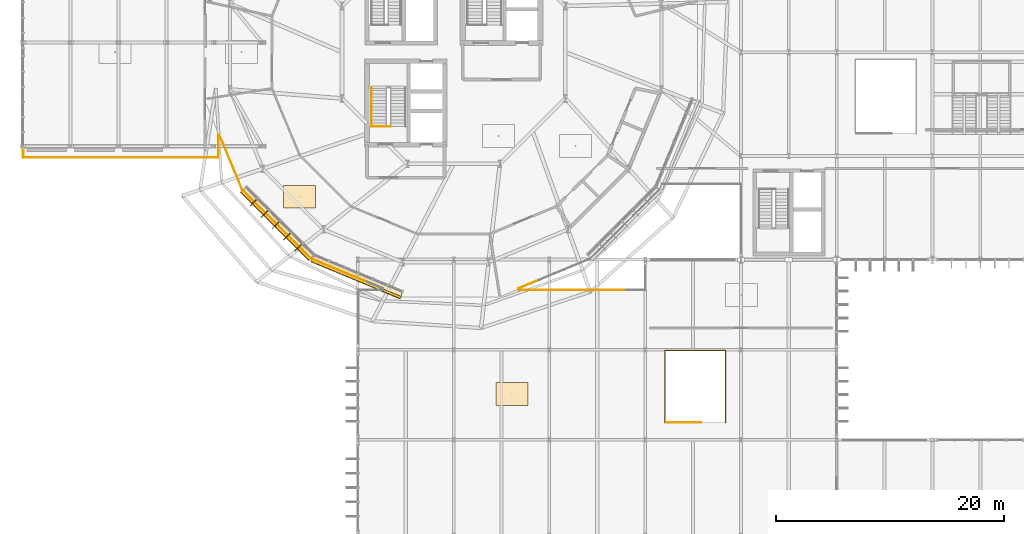
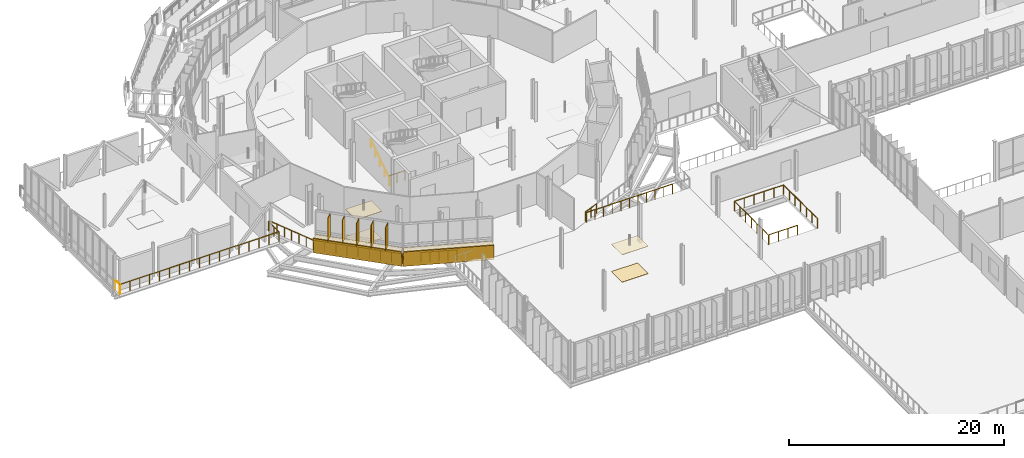
# One storey, part 127 of 139: 30 railings, 8 coverings, 5 shading devices.
"""IFC4 building model written with IfcOpenShell, lengths in metres."""

import ifcopenshell
import ifcopenshell.guid

model = None  # the IFC model being written
_history = None  # IfcOwnerHistory: only IFC2X3 demands one
_inside = {}  # id of a spatial element -> (the spatial element, [elements in it])
_under = {}  # id of a project, library or spatial element -> (it, [spatial elements below it])
_declared = {}  # id of a project -> (the project, [libraries it declares])
_typed = {}  # id of a type object -> (the type object, [elements of that type])
_made_of = {}  # id of a material, layer set ... -> (it, [elements and type objects made of it])


def new_model(schema):
    """Start an empty IFC model of exactly this schema.

    Asked for "IFC4X3", IfcOpenShell would pick the latest addendum, in which some entities
    have other attributes; the version numbers below select the first issue.
    IFC2X3 requires an IfcOwnerHistory on every rooted entity: one is made here for all.
    """
    global model, _history
    if schema == "IFC4X3":
        model = ifcopenshell.file(schema_version=(4, 3, 0, 0))
    else:
        model = ifcopenshell.file(schema=schema)
    _inside.clear()
    _under.clear()
    _declared.clear()
    _typed.clear()
    _made_of.clear()
    _history = None
    if model.schema == "IFC2X3":
        org = make("IfcOrganization", Name="unknown")
        user = make(
            "IfcPersonAndOrganization",
            ThePerson=make("IfcPerson", FamilyName="unknown"),
            TheOrganization=org,
        )
        app = make(
            "IfcApplication",
            ApplicationDeveloper=org,
            Version="unknown",
            ApplicationFullName="unknown",
            ApplicationIdentifier="unknown",
        )
        _history = make(
            "IfcOwnerHistory",
            OwningUser=user,
            OwningApplication=app,
            ChangeAction="ADDED",
            CreationDate=0,
        )
    return model


def make(cls, **values):
    """One entity of the class cls with the attributes given. An attribute that is None is left unset."""
    return model.create_entity(
        cls, **{name: value for name, value in values.items() if value is not None}
    )


def rooted(cls, **values):
    """An entity with a GlobalId (a new one), such as an element, a storey or a relation."""
    return make(cls, GlobalId=ifcopenshell.guid.new(), OwnerHistory=_history, **values)


def si_unit(unit_type, name, prefix=None):
    """IfcSIUnit, for example si_unit("LENGTHUNIT", "METRE", prefix="MILLI")."""
    return make("IfcSIUnit", UnitType=unit_type, Prefix=prefix, Name=name)


def derived_unit(unit_type, elements):
    """IfcDerivedUnit: a product of units, each with its exponent."""
    return make(
        "IfcDerivedUnit",
        Elements=[
            make("IfcDerivedUnitElement", Unit=unit, Exponent=power)
            for unit, power in elements
        ],
        UnitType=unit_type,
    )


def assignment(units):
    """IfcUnitAssignment: the units of a project."""
    return None if units is None else make("IfcUnitAssignment", Units=units)


def point(xyz):
    """IfcCartesianPoint."""
    return None if xyz is None else make("IfcCartesianPoint", Coordinates=xyz)


def direction(xyz):
    """IfcDirection."""
    return None if xyz is None else make("IfcDirection", DirectionRatios=xyz)


def frame(location, z_axis=None, x_axis=None):
    """IfcAxis2Placement3D, a coordinate frame: its origin and axes. An axis left out is left unset."""
    return make(
        "IfcAxis2Placement3D",
        Location=point(location),
        Axis=direction(z_axis),
        RefDirection=direction(x_axis),
    )


def frame_2d(location, x_axis=None):
    """IfcAxis2Placement2D, a coordinate frame in the plane: its origin and x axis."""
    return make(
        "IfcAxis2Placement2D", Location=point(location), RefDirection=direction(x_axis)
    )


def origin():
    """The frame at (0, 0, 0) with its axes left unset."""
    return frame((0.0, 0.0, 0.0))


def origin_2d():
    """The frame at (0, 0) in the plane with its x axis left unset."""
    return frame_2d((0.0, 0.0))


def place(relative_to, where):
    """IfcLocalPlacement: puts the frame where relative to a parent placement (None: the world)."""
    return make(
        "IfcLocalPlacement", PlacementRelTo=relative_to, RelativePlacement=where
    )


def context(
    kind, dimensions, precision=None, world=None, true_north=None, identifier=None
):
    """IfcGeometricRepresentationContext, for example the 3D "Model" context."""
    return make(
        "IfcGeometricRepresentationContext",
        ContextIdentifier=identifier,
        ContextType=kind,
        CoordinateSpaceDimension=dimensions,
        Precision=precision,
        WorldCoordinateSystem=world,
        TrueNorth=true_north,
    )


def subcontext(parent, identifier, kind, view, scale=None):
    """IfcGeometricRepresentationSubContext, for example "Body" below "Model"."""
    return make(
        "IfcGeometricRepresentationSubContext",
        ContextIdentifier=identifier,
        ContextType=kind,
        ParentContext=parent,
        TargetScale=scale,
        TargetView=view,
    )


def project(units=None, contexts=None):
    """IfcProject with its units and contexts."""
    return rooted(
        "IfcProject",
        Name="project",
        RepresentationContexts=contexts,
        UnitsInContext=assignment(units),
    )


def spatial(cls, under=None, at=None, **own):
    """A site, building, storey or space (cls), placed at a placement, below another one or the project."""
    s = rooted(cls, ObjectPlacement=at, **own)
    if under is not None:
        _under.setdefault(under.id(), (under, []))[1].append(s)
    return s


def polyline(points):
    """IfcPolyline through the points."""
    return make("IfcPolyline", Points=[point(p) for p in points])


def profile(cls, at=None, kind="AREA", **sizes):
    """A parametric profile (cls). Its sizes go by their IFC names, for example OverallWidth=200.0."""
    return make(cls, ProfileType=kind, Position=at, **sizes)


def rectangle(**sizes):
    """IfcRectangleProfileDef."""
    return profile("IfcRectangleProfileDef", **sizes)


def circle(**sizes):
    """IfcCircleProfileDef."""
    return profile("IfcCircleProfileDef", **sizes)


def outline(outer, holes=None, kind="AREA"):
    """IfcArbitraryClosedProfileDef: a profile drawn as a closed curve; with holes, ...WithVoids."""
    if holes is None:
        return make("IfcArbitraryClosedProfileDef", ProfileType=kind, OuterCurve=outer)
    return make(
        "IfcArbitraryProfileDefWithVoids",
        ProfileType=kind,
        OuterCurve=outer,
        InnerCurves=holes,
    )


def extrude(swept, where, along, depth):
    """IfcExtrudedAreaSolid: the profile swept, set in the frame where, extruded along a direction by depth."""
    return make(
        "IfcExtrudedAreaSolid",
        SweptArea=swept,
        Position=where,
        ExtrudedDirection=direction(along),
        Depth=depth,
    )


def shape(context_of_items, identifier, shape_type, items):
    """IfcShapeRepresentation: the items that make up one representation, for example the "Body"."""
    return make(
        "IfcShapeRepresentation",
        ContextOfItems=context_of_items,
        RepresentationIdentifier=identifier,
        RepresentationType=shape_type,
        Items=items,
    )


def material(Name=None, Category=None):
    """IfcMaterial."""
    return make("IfcMaterial", Name=Name, Category=Category)


def layer(
    of_material, thickness, ventilated=None, Name=None, Category=None, Priority=None
):
    """IfcMaterialLayer: one layer of a wall or slab, of a material (None: an air gap)."""
    return make(
        "IfcMaterialLayer",
        Material=of_material,
        LayerThickness=thickness,
        IsVentilated=ventilated,
        Name=Name,
        Category=Category,
        Priority=Priority,
    )


def layer_set(layers, Name=None):
    """IfcMaterialLayerSet."""
    return make("IfcMaterialLayerSet", MaterialLayers=layers, LayerSetName=Name)


def made_of(thing, what):
    """Note that an element or type object is made of a material, layer set ...; save() writes the relation."""
    if what is not None:
        _made_of.setdefault(what.id(), (what, []))[1].append(thing)
    return thing


def type_object(cls, material=None, **own):
    """A type object (cls), such as IfcWallType, which elements share."""
    return made_of(rooted(cls, **own), material)


def element(
    cls,
    number,
    at=None,
    inside=None,
    cuts=None,
    type_object=None,
    material=None,
    context=None,
    identifier="Body",
    shape_type=None,
    held_by="IfcProductDefinitionShape",
    body=None,
    shapes=None,
    **own,
):
    """One element of the class cls, such as IfcWall. Its Tag is "e" and its number.

    at: its placement. inside: the storey or other place that contains it. cuts: it is an
    opening in that element (IfcRelVoidsElement). A single representation is given by context,
    identifier, shape_type and body (its items); several are given by shapes. held_by: the class
    of the entity that holds the representations. save() writes the other relations.
    """
    e = rooted(cls, Tag="e%d" % number, ObjectPlacement=at, **own)
    if body is not None:
        shapes = [shape(context, identifier, shape_type, body)]
    if shapes is not None:
        e.Representation = make(held_by, Representations=shapes)
    if inside is not None:
        _inside.setdefault(inside.id(), (inside, []))[1].append(e)
    if cuts is not None:
        rooted(
            "IfcRelVoidsElement", RelatingBuildingElement=cuts, RelatedOpeningElement=e
        )
    if type_object is not None:
        _typed.setdefault(type_object.id(), (type_object, []))[1].append(e)
    return made_of(e, material)


def aggregate(whole, parts):
    """IfcRelAggregates: a whole, such as a stair, and the parts it consists of."""
    return rooted("IfcRelAggregates", RelatingObject=whole, RelatedObjects=parts)


def save(model, path):
    """Write the relations noted so far, then the file.

    IfcRelAggregates (storeys below a building ...), IfcRelContainedInSpatialStructure (elements
    in a storey), IfcRelDefinesByType, IfcRelAssociatesMaterial and IfcRelDeclares: one each for
    every whole, place, type object, material and project.
    """
    for whole, parts in _under.values():
        aggregate(whole, parts)
    for where, things in _inside.values():
        rooted(
            "IfcRelContainedInSpatialStructure",
            RelatedElements=things,
            RelatingStructure=where,
        )
    for kind, things in _typed.values():
        rooted("IfcRelDefinesByType", RelatedObjects=things, RelatingType=kind)
    for what, things in _made_of.values():
        rooted("IfcRelAssociatesMaterial", RelatedObjects=things, RelatingMaterial=what)
    for by, libraries in _declared.values():
        rooted("IfcRelDeclares", RelatingContext=by, RelatedDefinitions=libraries)
    model.write(path)


model = new_model("IFC4")

# Units and contexts
model_context = context("Model", 3, precision=1e-05, world=origin(), true_north=direction((0.0, 1.0)))
body_context = subcontext(model_context, "Body", "Model", "MODEL_VIEW")
ifc_project = project(units=[si_unit("LENGTHUNIT", "METRE"), si_unit("AREAUNIT", "SQUARE_METRE"), si_unit("VOLUMEUNIT", "CUBIC_METRE"), si_unit("PLANEANGLEUNIT", "RADIAN"), si_unit("MASSUNIT", "GRAM", prefix="KILO"), derived_unit("THERMALTRANSMITTANCEUNIT", [(si_unit("MASSUNIT", "GRAM", prefix="KILO"), 1), (si_unit("TIMEUNIT", "SECOND"), -3), (si_unit("THERMODYNAMICTEMPERATUREUNIT", "KELVIN"), -1)])], contexts=[model_context])

# Site, building, storey
site_placement = place(None, origin())
site = spatial("IfcSite", under=ifc_project, at=site_placement, CompositionType="ELEMENT")
building_placement = place(site_placement, origin())
building = spatial("IfcBuilding", under=site, at=building_placement, Name="Makaiwela Harbour Ferry Terminal", CompositionType="ELEMENT")
storey_placement = place(building_placement, frame((0.0, 0.0, 5.10009765625)))
storey = spatial("IfcBuildingStorey", under=building, at=storey_placement, Name="L01", CompositionType="ELEMENT", Elevation=5.10009765625)

# Coverings
ifc_material_1 = material(Name="White glazed marine ceramic rainscreen tile", Category="masonry")
ifc_layer_1 = layer(ifc_material_1, 0.054931640625)
ifc_layer_set_1 = layer_set([ifc_layer_1], Name="White glazed marine ceramic rainscreen tile")
covering_type_1 = type_object("IfcCoveringType", Name="ENV-CLD-CERAMIC", PredefinedType="CLADDING", material=ifc_layer_set_1)
covering_1_placement = place(storey_placement, frame((19.245849609375, 55.502685546875, -0.260009765625), z_axis=(0.702890995266, 0.702890995266, 0.109034387004), x_axis=(0.707106781187, -0.707106781187, 0.0)))
element("IfcCovering", 1, at=covering_1_placement, inside=storey, type_object=covering_type_1, Name="Ceramic Spandrel Facet CLD-0037", PredefinedType="CLADDING", context=body_context, shape_type="SweptSolid", body=[
    extrude(outline(polyline([(0.0, 0.0), (8.523260742368707, 0.0), (8.523433375860208, -1.7907055219217574), (-0.00017263349150062335, -1.7907055219217576), (0.0, 0.0)])), origin(), (0.0, 0.0, -1.0), 0.054931640625),
])
covering_2_placement = place(storey_placement, frame((0.0, 0.0, 1.47998046875)))
element("IfcCovering", 2, at=covering_2_placement, inside=storey, type_object=covering_type_1, Name="Ceramic Ring Sill Cap CLD-0038", PredefinedType="CLADDING", context=body_context, shape_type="SweptSolid", body=[
    extrude(outline(polyline([(19.107666015625, 55.36474609375), (25.134765625, 49.337646484375), (25.528564453125, 49.841552734375), (19.611572265625, 55.758544921875), (19.107666015625, 55.36474609375)])), origin(), (0.0, 0.0, 1.0), 0.054931640625),
])
covering_3_placement = place(storey_placement, frame((25.33740234375, 49.4326171875, -0.260009765625), z_axis=(0.380403588214, 0.918358409944, 0.109137257433), x_axis=(0.923877099691, -0.382689305655, -2.029986e-06)))
element("IfcCovering", 3, at=covering_3_placement, inside=storey, type_object=covering_type_1, Name="Ceramic Spandrel Facet CLD-0039", PredefinedType="CLADDING", context=body_context, shape_type="SweptSolid", body=[
    extrude(outline(polyline([(0.0, 0.0), (8.523531487812281, -5.551115123125783e-17), (8.523420407721995, -1.790743265212504), (2.1045835990524598e-05, -1.7907084522285945), (0.0, 0.0)])), origin(), (0.0, 0.0, -1.0), 0.054931640625),
])
covering_4_placement = place(storey_placement, frame((0.0, 0.0, 1.47998046875)))
element("IfcCovering", 4, at=covering_4_placement, inside=storey, type_object=covering_type_1, Name="Ceramic Ring Sill Cap CLD-0040", PredefinedType="CLADDING", context=body_context, shape_type="SweptSolid", body=[
    extrude(outline(polyline([(25.2626953125, 49.252197265625), (33.13720703125, 45.990234375), (33.308349609375, 46.6064453125), (25.577392578125, 49.808837890625), (25.2626953125, 49.252197265625)])), origin(), (0.0, 0.0, 1.0), 0.054931640625),
])

# Shading devices
ifc_material_2 = material(Name="Thermally modified Accoya timber and anodised aluminium", Category="wood")
ifc_layer_2 = layer(ifc_material_2, 0.06005859375)
ifc_layer_set_2 = layer_set([ifc_layer_2], Name="Thermally modified Accoya timber and anodised aluminium")
shading_device_type = type_object("IfcShadingDeviceType", Name="ENV-FIN-850", PredefinedType="USERDEFINED", material=ifc_layer_set_2)
for number, where, z_axis, x_axis, name in (
    (5, (20.21728515625, 54.391845703125, 1.614990234375), (0.0, 0.0, 1.0), (-0.707106781187, -0.707106781187, 0.0), "Vertical Solar Fin SFN-0031"),
    (6, (21.203369140625, 53.40576171875, 1.614990234375), (0.0, 0.0, 1.0), (-0.707106781187, -0.707106781187, 0.0), "Vertical Solar Fin SFN-0032"),
    (7, (22.189697265625, 52.419677734375, 1.614990234375), (0.0, 0.0, 1.0), (-0.707106781187, -0.707106781187, 0.0), "Vertical Solar Fin SFN-0033"),
    (8, (23.17578125, 51.433349609375, 1.614990234375), (0.0, 0.0, 1.0), (-0.707106781187, -0.707106781187, 0.0), "Vertical Solar Fin SFN-0034"),
    (9, (24.161865234375, 50.447265625, 1.614990234375), (0.0, 0.0, 1.0), (-0.707106781187, -0.707106781187, 0.0), "Vertical Solar Fin SFN-0035"),
):
    element("IfcShadingDevice", number, at=place(storey_placement, frame(where, z_axis=z_axis, x_axis=x_axis)), inside=storey, type_object=shading_device_type, Name=name, ObjectType="SOLAR FIN", PredefinedType="USERDEFINED", context=body_context, shape_type="SweptSolid", body=[
        extrude(rectangle(XDim=0.85009765625, YDim=0.06005859375, at=origin_2d()), origin(), (0.0, 0.0, 1.0), 2.60009765625),
    ])

# Coverings
ifc_material_3 = material(Name="Thermally modified Accoya timber acoustic slat ceiling", Category="wood")
ifc_layer_3 = layer(ifc_material_3, 0.0400390625)
ifc_layer_set_3 = layer_set([ifc_layer_3], Name="Thermally modified Accoya timber acoustic slat ceiling")
covering_type_2 = type_object("IfcCoveringType", Name="INT-COV-CEIL", PredefinedType="CEILING", material=ifc_layer_set_3)
covering_5_placement = place(storey_placement, frame((0.0, 0.0, 3.099853515625)))
element("IfcCovering", 10, at=covering_5_placement, inside=storey, type_object=covering_type_2, Name="Acoustic Timber Ceiling CLG-032", PredefinedType="CEILING", context=body_context, shape_type="SweptSolid", body=[
    extrude(outline(polyline([(22.87646484375, 53.928955078125), (25.676513671875, 53.928955078125), (25.676513671875, 55.928955078125), (22.87646484375, 55.928955078125), (22.87646484375, 53.928955078125)])), origin(), (0.0, 0.0, 1.0), 0.0400390625),
])
covering_6_placement = place(storey_placement, frame((0.0, 0.0, 3.099853515625)))
element("IfcCovering", 11, at=covering_6_placement, inside=storey, type_object=covering_type_2, Name="Acoustic Timber Ceiling CLG-036", PredefinedType="CEILING", context=body_context, shape_type="SweptSolid", body=[
    extrude(outline(polyline([(41.5, 36.625), (44.300048828125, 36.625), (44.300048828125, 38.625), (41.5, 38.625), (41.5, 36.625)])), origin(), (0.0, 0.0, 1.0), 0.0400390625),
])
ifc_material_4 = material(Name="Honed coral-aggregate epoxy terrazzo flooring", Category="concrete")
ifc_layer_4 = layer(ifc_material_4, 0.02490234375)
ifc_layer_set_4 = layer_set([ifc_layer_4], Name="Honed coral-aggregate epoxy terrazzo flooring")
covering_type_3 = type_object("IfcCoveringType", Name="INT-COV-FLR", PredefinedType="FLOORING", material=ifc_layer_set_4)
covering_7_placement = place(storey_placement, origin())
element("IfcCovering", 12, at=covering_7_placement, inside=storey, type_object=covering_type_3, Name="Terrazzo Flooring FLG-032", PredefinedType="FLOORING", context=body_context, shape_type="SweptSolid", body=[
    extrude(outline(polyline([(22.87646484375, 53.928955078125), (25.676513671875, 53.928955078125), (25.676513671875, 55.928955078125), (22.87646484375, 55.928955078125), (22.87646484375, 53.928955078125)])), origin(), (0.0, 0.0, 1.0), 0.02490234375),
])
covering_8_placement = place(storey_placement, origin())
element("IfcCovering", 13, at=covering_8_placement, inside=storey, type_object=covering_type_3, Name="Terrazzo Flooring FLG-036", PredefinedType="FLOORING", context=body_context, shape_type="SweptSolid", body=[
    extrude(outline(polyline([(41.5, 36.625), (44.300048828125, 36.625), (44.300048828125, 38.625), (41.5, 38.625), (41.5, 36.625)])), origin(), (0.0, 0.0, 1.0), 0.02490234375),
])

# Railings
ifc_material_5 = material(Name="Marine grade 316L brushed stainless steel", Category="steel")
railing_type_1 = type_object("IfcRailingType", Name="INT-RL-GRD110", PredefinedType="GUARDRAIL", material=ifc_material_5)
railing_1_placement = place(storey_placement, frame((30.570068359375, 61.10009765625, 0.0)))
element("IfcRailing", 14, at=railing_1_placement, inside=storey, type_object=railing_type_1, Name="Stair top well guardrail RL-0022", PredefinedType="GUARDRAIL", context=body_context, shape_type="SweptSolid", body=[
    extrude(circle(Radius=0.02392578125, at=origin_2d()), frame((0.0, 0.0, 1.09619140625), z_axis=(1.0, 0.0, 0.0), x_axis=(0.0, 1.0, 0.0)), (0.0, 0.0, 1.0), 1.696044921875),
    extrude(circle(Radius=0.02099609375, at=origin_2d()), origin(), (0.0, 0.0, 1.0), 1.072021484375),
    extrude(circle(Radius=0.02099609375, at=origin_2d()), frame((0.84814453125, 0.0, 0.0)), (0.0, 0.0, 1.0), 1.072021484375),
    extrude(circle(Radius=0.02099609375, at=origin_2d()), frame((1.696044921875, 0.0, 0.0)), (0.0, 0.0, 1.0), 1.072021484375),
])
railing_2_placement = place(storey_placement, frame((56.449951171875, 35.1298828125, 0.0)))
element("IfcRailing", 15, at=railing_2_placement, inside=storey, type_object=railing_type_1, Name="Stair top well guardrail RL-0102", PredefinedType="GUARDRAIL", context=body_context, shape_type="SweptSolid", body=[
    extrude(circle(Radius=0.02392578125, at=origin_2d()), frame((0.0, 0.0, 1.09619140625), z_axis=(1.0, 0.0, 0.0), x_axis=(0.0, 1.0, 0.0)), (0.0, 0.0, 1.0), 3.0400390625),
    extrude(circle(Radius=0.02099609375, at=origin_2d()), origin(), (0.0, 0.0, 1.0), 1.072021484375),
    extrude(circle(Radius=0.02099609375, at=origin_2d()), frame((1.013427734375, 0.0, 0.0)), (0.0, 0.0, 1.0), 1.072021484375),
    extrude(circle(Radius=0.02099609375, at=origin_2d()), frame((2.026611328125, 0.0, 0.0)), (0.0, 0.0, 1.0), 1.072021484375),
    extrude(circle(Radius=0.02099609375, at=origin_2d()), frame((3.0400390625, 0.0, 0.0)), (0.0, 0.0, 1.0), 1.072021484375),
])
railing_3_placement = place(storey_placement, frame((56.35009765625, 35.1298828125, 0.0)))
element("IfcRailing", 16, at=railing_3_placement, inside=storey, type_object=railing_type_1, Name="Stairwell perimeter guardrail RL-0104", PredefinedType="GUARDRAIL", context=body_context, shape_type="SweptSolid", body=[
    extrude(circle(Radius=0.02392578125, at=origin_2d()), frame((0.0, 0.0, 1.09619140625), z_axis=(0.0, 1.0, 0.0), x_axis=(-1.0, 0.0, 0.0)), (0.0, 0.0, 1.0), 6.320068359375),
    extrude(circle(Radius=0.02392578125, at=origin_2d()), frame((0.0, 6.320068359375, 1.09619140625), z_axis=(1.0, 0.0, 0.0), x_axis=(0.0, 1.0, 0.0)), (0.0, 0.0, 1.0), 5.2998046875),
    extrude(circle(Radius=0.02392578125, at=origin_2d()), frame((5.2998046875, 6.320068359375, 1.09619140625), z_axis=(0.0, -1.0, 0.0), x_axis=(1.0, 0.0, 0.0)), (0.0, 0.0, 1.0), 6.320068359375),
    extrude(circle(Radius=0.02099609375, at=origin_2d()), origin(), (0.0, 0.0, 1.0), 1.072021484375),
    extrude(circle(Radius=0.02099609375, at=origin_2d()), frame((0.0, 1.05322265625, 0.0)), (0.0, 0.0, 1.0), 1.072021484375),
    extrude(circle(Radius=0.02099609375, at=origin_2d()), frame((0.0, 2.106689453125, 0.0)), (0.0, 0.0, 1.0), 1.072021484375),
    extrude(circle(Radius=0.02099609375, at=origin_2d()), frame((0.0, 3.16015625, 0.0)), (0.0, 0.0, 1.0), 1.072021484375),
    extrude(circle(Radius=0.02099609375, at=origin_2d()), frame((0.0, 4.21337890625, 0.0)), (0.0, 0.0, 1.0), 1.072021484375),
    extrude(circle(Radius=0.02099609375, at=origin_2d()), frame((0.0, 5.2666015625, 0.0)), (0.0, 0.0, 1.0), 1.072021484375),
    extrude(circle(Radius=0.02099609375, at=origin_2d()), frame((0.0, 6.320068359375, 0.0)), (0.0, 0.0, 1.0), 1.072021484375),
    extrude(circle(Radius=0.02099609375, at=origin_2d()), frame((1.06005859375, 6.320068359375, 0.0)), (0.0, 0.0, 1.0), 1.072021484375),
    extrude(circle(Radius=0.02099609375, at=origin_2d()), frame((2.119873046875, 6.320068359375, 0.0)), (0.0, 0.0, 1.0), 1.072021484375),
    extrude(circle(Radius=0.02099609375, at=origin_2d()), frame((3.179931640625, 6.320068359375, 0.0)), (0.0, 0.0, 1.0), 1.072021484375),
    extrude(circle(Radius=0.02099609375, at=origin_2d()), frame((4.23974609375, 6.320068359375, 0.0)), (0.0, 0.0, 1.0), 1.072021484375),
    extrude(circle(Radius=0.02099609375, at=origin_2d()), frame((5.2998046875, 6.320068359375, 0.0)), (0.0, 0.0, 1.0), 1.072021484375),
    extrude(circle(Radius=0.02099609375, at=origin_2d()), frame((5.2998046875, 5.2666015625, 0.0)), (0.0, 0.0, 1.0), 1.072021484375),
    extrude(circle(Radius=0.02099609375, at=origin_2d()), frame((5.2998046875, 4.21337890625, 0.0)), (0.0, 0.0, 1.0), 1.072021484375),
    extrude(circle(Radius=0.02099609375, at=origin_2d()), frame((5.2998046875, 3.16015625, 0.0)), (0.0, 0.0, 1.0), 1.072021484375),
    extrude(circle(Radius=0.02099609375, at=origin_2d()), frame((5.2998046875, 2.106689453125, 0.0)), (0.0, 0.0, 1.0), 1.072021484375),
    extrude(circle(Radius=0.02099609375, at=origin_2d()), frame((5.2998046875, 1.05322265625, 0.0)), (0.0, 0.0, 1.0), 1.072021484375),
    extrude(circle(Radius=0.02099609375, at=origin_2d()), frame((5.2998046875, 0.0, 0.0)), (0.0, 0.0, 1.0), 1.072021484375),
])
railing_4_placement = place(storey_placement, frame((0.044921875, 58.364990234375, 0.0)))
element("IfcRailing", 17, at=railing_4_placement, inside=storey, type_object=railing_type_1, Name="Deck edge guardrail RL-0257", PredefinedType="GUARDRAIL", context=body_context, shape_type="SweptSolid", body=[
    extrude(circle(Radius=0.02392578125, at=origin_2d()), frame((0.0, 0.0, 1.09619140625), z_axis=(0.0, 1.0, 0.0), x_axis=(-1.0, 0.0, 0.0)), (0.0, 0.0, 1.0), 0.864990234375),
    extrude(circle(Radius=0.02099609375, at=origin_2d()), origin(), (0.0, 0.0, 1.0), 1.072021484375),
    extrude(circle(Radius=0.02099609375, at=origin_2d()), frame((0.0, 0.864990234375, 0.0)), (0.0, 0.0, 1.0), 1.072021484375),
])
for number, where, name in (
    (18, (30.04052734375, 47.531005859375, 0.0), "Deck edge guardrail RL-0363"),
    (19, (28.46875, 48.18212890625, 0.0), "Deck edge guardrail RL-0364"),
):
    element("IfcRailing", number, at=place(storey_placement, frame(where)), inside=storey, type_object=railing_type_1, Name=name, PredefinedType="GUARDRAIL", context=body_context, shape_type="SweptSolid", body=[
        extrude(circle(Radius=0.02392578125, at=origin_2d()), frame((0.0, 0.0, 1.09619140625), z_axis=(-0.923864661962, 0.382719331074, 0.0), x_axis=(-0.382719331074, -0.923864661962, 0.0)), (0.0, 0.0, 1.0), 1.701416015625),
        extrude(circle(Radius=0.02099609375, at=origin_2d()), origin(), (0.0, 0.0, 1.0), 1.072021484375),
        extrude(circle(Radius=0.02099609375, at=origin_2d()), frame((-0.785888671875, 0.32568359375, 0.0)), (0.0, 0.0, 1.0), 1.072021484375),
        extrude(circle(Radius=0.02099609375, at=origin_2d()), frame((-1.57177734375, 0.651123046875, 0.0)), (0.0, 0.0, 1.0), 1.072021484375),
    ])
railing_5_placement = place(storey_placement, frame((26.89697265625, 48.833251953125, 0.0)))
element("IfcRailing", 20, at=railing_5_placement, inside=storey, type_object=railing_type_1, Name="Deck edge guardrail RL-0365", PredefinedType="GUARDRAIL", context=body_context, shape_type="SweptSolid", body=[
    extrude(circle(Radius=0.02392578125, at=origin_2d()), frame((0.0, 0.0, 1.09619140625), z_axis=(-0.923915396123, 0.382596838469, 0.0), x_axis=(-0.382596838469, -0.923915396123, 0.0)), (0.0, 0.0, 1.0), 1.701171875),
    extrude(circle(Radius=0.02099609375, at=origin_2d()), origin(), (0.0, 0.0, 1.0), 1.072021484375),
    extrude(circle(Radius=0.02099609375, at=origin_2d()), frame((-0.785888671875, 0.325439453125, 0.0)), (0.0, 0.0, 1.0), 1.072021484375),
    extrude(circle(Radius=0.02099609375, at=origin_2d()), frame((-1.57177734375, 0.65087890625, 0.0)), (0.0, 0.0, 1.0), 1.072021484375),
])
railing_6_placement = place(storey_placement, frame((25.3251953125, 49.484130859375, 0.0)))
element("IfcRailing", 21, at=railing_6_placement, inside=storey, type_object=railing_type_1, Name="Deck edge guardrail RL-0366", PredefinedType="GUARDRAIL", context=body_context, shape_type="SweptSolid", body=[
    extrude(circle(Radius=0.02392578125, at=origin_2d()), frame((0.0, 0.0, 1.09619140625), z_axis=(-0.707049905516, 0.707163652283, 0.0), x_axis=(-0.707163652283, -0.707049905516, 0.0)), (0.0, 0.0, 1.0), 2.146240234375),
    extrude(circle(Radius=0.02099609375, at=origin_2d()), origin(), (0.0, 0.0, 1.0), 1.072021484375),
    extrude(circle(Radius=0.02099609375, at=origin_2d()), frame((-0.7587890625, 0.7587890625, 0.0)), (0.0, 0.0, 1.0), 1.072021484375),
    extrude(circle(Radius=0.02099609375, at=origin_2d()), frame((-1.517578125, 1.517822265625, 0.0)), (0.0, 0.0, 1.0), 1.072021484375),
])
for number, where, name in (
    (22, (23.8076171875, 51.001953125, 0.0), "Deck edge guardrail RL-0367"),
    (23, (22.289794921875, 52.519775390625, 0.0), "Deck edge guardrail RL-0368"),
):
    element("IfcRailing", number, at=place(storey_placement, frame(where)), inside=storey, type_object=railing_type_1, Name=name, PredefinedType="GUARDRAIL", context=body_context, shape_type="SweptSolid", body=[
        extrude(circle(Radius=0.02392578125, at=origin_2d()), frame((0.0, 0.0, 1.09619140625), z_axis=(-0.707106781187, 0.707106781187, 0.0), x_axis=(-0.707106781187, -0.707106781187, 0.0)), (0.0, 0.0, 1.0), 2.146484375),
        extrude(circle(Radius=0.02099609375, at=origin_2d()), origin(), (0.0, 0.0, 1.0), 1.072021484375),
        extrude(circle(Radius=0.02099609375, at=origin_2d()), frame((-0.7587890625, 0.7587890625, 0.0)), (0.0, 0.0, 1.0), 1.072021484375),
        extrude(circle(Radius=0.02099609375, at=origin_2d()), frame((-1.517822265625, 1.517822265625, 0.0)), (0.0, 0.0, 1.0), 1.072021484375),
    ])
railing_7_placement = place(storey_placement, frame((20.77197265625, 54.03759765625, 0.0)))
element("IfcRailing", 24, at=railing_7_placement, inside=storey, type_object=railing_type_1, Name="Deck edge guardrail RL-0369", PredefinedType="GUARDRAIL", context=body_context, shape_type="SweptSolid", body=[
    extrude(circle(Radius=0.02392578125, at=origin_2d()), frame((0.0, 0.0, 1.09619140625), z_axis=(-0.707163652283, 0.707049905516, 0.0), x_axis=(-0.707049905516, -0.707163652283, 0.0)), (0.0, 0.0, 1.0), 2.146240234375),
    extrude(circle(Radius=0.02099609375, at=origin_2d()), origin(), (0.0, 0.0, 1.0), 1.072021484375),
    extrude(circle(Radius=0.02099609375, at=origin_2d()), frame((-0.7587890625, 0.7587890625, 0.0)), (0.0, 0.0, 1.0), 1.072021484375),
    extrude(circle(Radius=0.02099609375, at=origin_2d()), frame((-1.517822265625, 1.517578125, 0.0)), (0.0, 0.0, 1.0), 1.072021484375),
])
railing_8_placement = place(storey_placement, frame((19.254150390625, 55.55517578125, 0.0)))
element("IfcRailing", 25, at=railing_8_placement, inside=storey, type_object=railing_type_1, Name="Deck edge guardrail RL-0370", PredefinedType="GUARDRAIL", context=body_context, shape_type="SweptSolid", body=[
    extrude(circle(Radius=0.02392578125, at=origin_2d()), frame((0.0, 0.0, 1.09619140625), z_axis=(-0.382648571325, 0.923893971656, 0.0), x_axis=(-0.923893971656, -0.382648571325, 0.0)), (0.0, 0.0, 1.0), 1.719482421875),
    extrude(circle(Radius=0.02099609375, at=origin_2d()), origin(), (0.0, 0.0, 1.0), 1.072021484375),
    extrude(circle(Radius=0.02099609375, at=origin_2d()), frame((-0.3291015625, 0.79443359375, 0.0)), (0.0, 0.0, 1.0), 1.072021484375),
    extrude(circle(Radius=0.02099609375, at=origin_2d()), frame((-0.657958984375, 1.588623046875, 0.0)), (0.0, 0.0, 1.0), 1.072021484375),
])
railing_9_placement = place(storey_placement, frame((18.59619140625, 57.143798828125, 0.0)))
element("IfcRailing", 26, at=railing_9_placement, inside=storey, type_object=railing_type_1, Name="Deck edge guardrail RL-0371", PredefinedType="GUARDRAIL", context=body_context, shape_type="SweptSolid", body=[
    extrude(circle(Radius=0.02392578125, at=origin_2d()), frame((0.0, 0.0, 1.09619140625), z_axis=(-0.382719556917, 0.923864568404, 0.0), x_axis=(-0.923864568404, -0.382719556917, 0.0)), (0.0, 0.0, 1.0), 1.7197265625),
    extrude(circle(Radius=0.02099609375, at=origin_2d()), origin(), (0.0, 0.0, 1.0), 1.072021484375),
    extrude(circle(Radius=0.02099609375, at=origin_2d()), frame((-0.3291015625, 0.79443359375, 0.0)), (0.0, 0.0, 1.0), 1.072021484375),
    extrude(circle(Radius=0.02099609375, at=origin_2d()), frame((-0.658203125, 1.5888671875, 0.0)), (0.0, 0.0, 1.0), 1.072021484375),
])
railing_10_placement = place(storey_placement, frame((17.93798828125, 58.732666015625, 0.0)))
element("IfcRailing", 27, at=railing_10_placement, inside=storey, type_object=railing_type_1, Name="Deck edge guardrail RL-0372", PredefinedType="GUARDRAIL", context=body_context, shape_type="SweptSolid", body=[
    extrude(circle(Radius=0.02392578125, at=origin_2d()), frame((0.0, 0.0, 1.09619140625), z_axis=(-0.382648571325, 0.923893971656, 0.0), x_axis=(-0.923893971656, -0.382648571325, 0.0)), (0.0, 0.0, 1.0), 1.719482421875),
    extrude(circle(Radius=0.02099609375, at=origin_2d()), origin(), (0.0, 0.0, 1.0), 1.072021484375),
    extrude(circle(Radius=0.02099609375, at=origin_2d()), frame((-0.3291015625, 0.79443359375, 0.0)), (0.0, 0.0, 1.0), 1.072021484375),
    extrude(circle(Radius=0.02099609375, at=origin_2d()), frame((-0.657958984375, 1.588623046875, 0.0)), (0.0, 0.0, 1.0), 1.072021484375),
])
railing_11_placement = place(storey_placement, frame((17.155029296875, 60.298583984375, 0.0)))
element("IfcRailing", 28, at=railing_11_placement, inside=storey, type_object=railing_type_1, Name="Deck edge guardrail RL-0373", PredefinedType="GUARDRAIL", context=body_context, shape_type="SweptSolid", body=[
    extrude(circle(Radius=0.02392578125, at=origin_2d()), frame((0.0, 0.0, 1.09619140625), z_axis=(0.0, -1.0, 0.0), x_axis=(1.0, 0.0, 0.0)), (0.0, 0.0, 1.0), 1.93359375),
    extrude(circle(Radius=0.02099609375, at=origin_2d()), origin(), (0.0, 0.0, 1.0), 1.072021484375),
    extrude(circle(Radius=0.02099609375, at=origin_2d()), frame((0.0, -0.966796875, 0.0)), (0.0, 0.0, 1.0), 1.072021484375),
    extrude(circle(Radius=0.02099609375, at=origin_2d()), frame((0.0, -1.93359375, 0.0)), (0.0, 0.0, 1.0), 1.072021484375),
])
railing_12_placement = place(storey_placement, frame((17.155029296875, 58.364990234375, 0.0)))
element("IfcRailing", 29, at=railing_12_placement, inside=storey, type_object=railing_type_1, Name="Deck edge guardrail RL-0374", PredefinedType="GUARDRAIL", context=body_context, shape_type="SweptSolid", body=[
    extrude(circle(Radius=0.02392578125, at=origin_2d()), frame((0.0, 0.0, 1.09619140625), z_axis=(-1.0, 0.0, 0.0), x_axis=(0.0, -1.0, 0.0)), (0.0, 0.0, 1.0), 2.138916015625),
    extrude(circle(Radius=0.02099609375, at=origin_2d()), origin(), (0.0, 0.0, 1.0), 1.072021484375),
    extrude(circle(Radius=0.02099609375, at=origin_2d()), frame((-1.0693359375, 0.0, 0.0)), (0.0, 0.0, 1.0), 1.072021484375),
    extrude(circle(Radius=0.02099609375, at=origin_2d()), frame((-2.138916015625, 0.0, 0.0)), (0.0, 0.0, 1.0), 1.072021484375),
])
for number, where, name in (
    (30, (15.01611328125, 58.364990234375, 0.0), "Deck edge guardrail RL-0375"),
    (31, (12.87744140625, 58.364990234375, 0.0), "Deck edge guardrail RL-0376"),
    (32, (10.73876953125, 58.364990234375, 0.0), "Deck edge guardrail RL-0377"),
):
    element("IfcRailing", number, at=place(storey_placement, frame(where)), inside=storey, type_object=railing_type_1, Name=name, PredefinedType="GUARDRAIL", context=body_context, shape_type="SweptSolid", body=[
        extrude(circle(Radius=0.02392578125, at=origin_2d()), frame((0.0, 0.0, 1.09619140625), z_axis=(-1.0, 0.0, 0.0), x_axis=(0.0, -1.0, 0.0)), (0.0, 0.0, 1.0), 2.138671875),
        extrude(circle(Radius=0.02099609375, at=origin_2d()), origin(), (0.0, 0.0, 1.0), 1.072021484375),
        extrude(circle(Radius=0.02099609375, at=origin_2d()), frame((-1.0693359375, 0.0, 0.0)), (0.0, 0.0, 1.0), 1.072021484375),
        extrude(circle(Radius=0.02099609375, at=origin_2d()), frame((-2.138671875, 0.0, 0.0)), (0.0, 0.0, 1.0), 1.072021484375),
    ])
railing_13_placement = place(storey_placement, frame((8.60009765625, 58.364990234375, 0.0)))
element("IfcRailing", 33, at=railing_13_placement, inside=storey, type_object=railing_type_1, Name="Deck edge guardrail RL-0378", PredefinedType="GUARDRAIL", context=body_context, shape_type="SweptSolid", body=[
    extrude(circle(Radius=0.02392578125, at=origin_2d()), frame((0.0, 0.0, 1.09619140625), z_axis=(-1.0, 0.0, 0.0), x_axis=(0.0, -1.0, 0.0)), (0.0, 0.0, 1.0), 2.138916015625),
    extrude(circle(Radius=0.02099609375, at=origin_2d()), origin(), (0.0, 0.0, 1.0), 1.072021484375),
    extrude(circle(Radius=0.02099609375, at=origin_2d()), frame((-1.0693359375, 0.0, 0.0)), (0.0, 0.0, 1.0), 1.072021484375),
    extrude(circle(Radius=0.02099609375, at=origin_2d()), frame((-2.138916015625, 0.0, 0.0)), (0.0, 0.0, 1.0), 1.072021484375),
])
for number, where, name in (
    (34, (6.461181640625, 58.364990234375, 0.0), "Deck edge guardrail RL-0379"),
    (35, (4.322509765625, 58.364990234375, 0.0), "Deck edge guardrail RL-0380"),
):
    element("IfcRailing", number, at=place(storey_placement, frame(where)), inside=storey, type_object=railing_type_1, Name=name, PredefinedType="GUARDRAIL", context=body_context, shape_type="SweptSolid", body=[
        extrude(circle(Radius=0.02392578125, at=origin_2d()), frame((0.0, 0.0, 1.09619140625), z_axis=(-1.0, 0.0, 0.0), x_axis=(0.0, -1.0, 0.0)), (0.0, 0.0, 1.0), 2.138671875),
        extrude(circle(Radius=0.02099609375, at=origin_2d()), origin(), (0.0, 0.0, 1.0), 1.072021484375),
        extrude(circle(Radius=0.02099609375, at=origin_2d()), frame((-1.0693359375, 0.0, 0.0)), (0.0, 0.0, 1.0), 1.072021484375),
        extrude(circle(Radius=0.02099609375, at=origin_2d()), frame((-2.138671875, 0.0, 0.0)), (0.0, 0.0, 1.0), 1.072021484375),
    ])
railing_14_placement = place(storey_placement, frame((2.183837890625, 58.364990234375, 0.0)))
element("IfcRailing", 36, at=railing_14_placement, inside=storey, type_object=railing_type_1, Name="Deck edge guardrail RL-0381", PredefinedType="GUARDRAIL", context=body_context, shape_type="SweptSolid", body=[
    extrude(circle(Radius=0.02392578125, at=origin_2d()), frame((0.0, 0.0, 1.09619140625), z_axis=(-1.0, 0.0, 0.0), x_axis=(0.0, -1.0, 0.0)), (0.0, 0.0, 1.0), 2.138916015625),
    extrude(circle(Radius=0.02099609375, at=origin_2d()), origin(), (0.0, 0.0, 1.0), 1.072021484375),
    extrude(circle(Radius=0.02099609375, at=origin_2d()), frame((-1.0693359375, 0.0, 0.0)), (0.0, 0.0, 1.0), 1.072021484375),
    extrude(circle(Radius=0.02099609375, at=origin_2d()), frame((-2.138916015625, 0.0, 0.0)), (0.0, 0.0, 1.0), 1.072021484375),
])
railing_15_placement = place(storey_placement, frame((45.0595703125, 47.531005859375, 0.0)))
element("IfcRailing", 37, at=railing_15_placement, inside=storey, type_object=railing_type_1, Name="Deck edge guardrail RL-0401", PredefinedType="GUARDRAIL", context=body_context, shape_type="SweptSolid", body=[
    extrude(circle(Radius=0.02392578125, at=origin_2d()), frame((0.0, 0.0, 1.09619140625), z_axis=(-0.923915396123, -0.382596838469, 0.0), x_axis=(0.382596838469, -0.923915396123, 0.0)), (0.0, 0.0, 1.0), 1.701171875),
    extrude(circle(Radius=0.02099609375, at=origin_2d()), origin(), (0.0, 0.0, 1.0), 1.072021484375),
    extrude(circle(Radius=0.02099609375, at=origin_2d()), frame((-0.785888671875, -0.325439453125, 0.0)), (0.0, 0.0, 1.0), 1.072021484375),
    extrude(circle(Radius=0.02099609375, at=origin_2d()), frame((-1.57177734375, -0.65087890625, 0.0)), (0.0, 0.0, 1.0), 1.072021484375),
])
railing_16_placement = place(storey_placement, frame((43.5126953125, 46.7548828125, 0.0)))
element("IfcRailing", 38, at=railing_16_placement, inside=storey, type_object=railing_type_1, Name="Deck edge guardrail RL-0402", PredefinedType="GUARDRAIL", context=body_context, shape_type="SweptSolid", body=[
    extrude(circle(Radius=0.02392578125, at=origin_2d()), frame((0.0, 0.0, 1.09619140625), z_axis=(0.999999991259, 0.000132222662, 0.0), x_axis=(-0.000132222662, 0.999999991259, 0.0)), (0.0, 0.0, 1.0), 1.846435546875),
    extrude(circle(Radius=0.02099609375, at=origin_2d()), origin(), (0.0, 0.0, 1.0), 1.072021484375),
    extrude(circle(Radius=0.02099609375, at=origin_2d()), frame((0.92333984375, 0.0, 0.0)), (0.0, 0.0, 1.0), 1.072021484375),
    extrude(circle(Radius=0.02099609375, at=origin_2d()), frame((1.846435546875, 0.000244140625, 0.0)), (0.0, 0.0, 1.0), 1.072021484375),
])
railing_17_placement = place(storey_placement, frame((45.359130859375, 46.755126953125, 0.0)))
element("IfcRailing", 39, at=railing_17_placement, inside=storey, type_object=railing_type_1, Name="Deck edge guardrail RL-0403", PredefinedType="GUARDRAIL", context=body_context, shape_type="SweptSolid", body=[
    extrude(circle(Radius=0.02392578125, at=origin_2d()), frame((0.0, 0.0, 1.09619140625), z_axis=(0.999999991261, 0.000132205181, 0.0), x_axis=(-0.000132205181, 0.999999991261, 0.0)), (0.0, 0.0, 1.0), 1.8466796875),
    extrude(circle(Radius=0.02099609375, at=origin_2d()), origin(), (0.0, 0.0, 1.0), 1.072021484375),
    extrude(circle(Radius=0.02099609375, at=origin_2d()), frame((0.92333984375, 0.0, 0.0)), (0.0, 0.0, 1.0), 1.072021484375),
    extrude(circle(Radius=0.02099609375, at=origin_2d()), frame((1.8466796875, 0.000244140625, 0.0)), (0.0, 0.0, 1.0), 1.072021484375),
])
railing_18_placement = place(storey_placement, frame((47.205810546875, 46.75537109375, 0.0)))
element("IfcRailing", 40, at=railing_18_placement, inside=storey, type_object=railing_type_1, Name="Deck edge guardrail RL-0404", PredefinedType="GUARDRAIL", context=body_context, shape_type="SweptSolid", body=[
    extrude(circle(Radius=0.02392578125, at=origin_2d()), frame((0.0, 0.0, 1.09619140625), z_axis=(1.0, 0.0, 0.0), x_axis=(0.0, 1.0, 0.0)), (0.0, 0.0, 1.0), 1.8466796875),
    extrude(circle(Radius=0.02099609375, at=origin_2d()), origin(), (0.0, 0.0, 1.0), 1.072021484375),
    extrude(circle(Radius=0.02099609375, at=origin_2d()), frame((0.92333984375, 0.0, 0.0)), (0.0, 0.0, 1.0), 1.072021484375),
    extrude(circle(Radius=0.02099609375, at=origin_2d()), frame((1.8466796875, 0.0, 0.0)), (0.0, 0.0, 1.0), 1.072021484375),
])
railing_19_placement = place(storey_placement, frame((49.052490234375, 46.75537109375, 0.0)))
element("IfcRailing", 41, at=railing_19_placement, inside=storey, type_object=railing_type_1, Name="Deck edge guardrail RL-0405", PredefinedType="GUARDRAIL", context=body_context, shape_type="SweptSolid", body=[
    extrude(circle(Radius=0.02392578125, at=origin_2d()), frame((0.0, 0.0, 1.09619140625), z_axis=(0.999999991261, 0.000132205181, 0.0), x_axis=(-0.000132205181, 0.999999991261, 0.0)), (0.0, 0.0, 1.0), 1.8466796875),
    extrude(circle(Radius=0.02099609375, at=origin_2d()), origin(), (0.0, 0.0, 1.0), 1.072021484375),
    extrude(circle(Radius=0.02099609375, at=origin_2d()), frame((0.92333984375, 0.0, 0.0)), (0.0, 0.0, 1.0), 1.072021484375),
    extrude(circle(Radius=0.02099609375, at=origin_2d()), frame((1.8466796875, 0.000244140625, 0.0)), (0.0, 0.0, 1.0), 1.072021484375),
])
railing_20_placement = place(storey_placement, frame((50.899169921875, 46.755615234375, 0.0)))
element("IfcRailing", 42, at=railing_20_placement, inside=storey, type_object=railing_type_1, Name="Deck edge guardrail RL-0406", PredefinedType="GUARDRAIL", context=body_context, shape_type="SweptSolid", body=[
    extrude(circle(Radius=0.02392578125, at=origin_2d()), frame((0.0, 0.0, 1.09619140625), z_axis=(1.0, 0.0, 0.0), x_axis=(0.0, 1.0, 0.0)), (0.0, 0.0, 1.0), 1.8466796875),
    extrude(circle(Radius=0.02099609375, at=origin_2d()), origin(), (0.0, 0.0, 1.0), 1.072021484375),
    extrude(circle(Radius=0.02099609375, at=origin_2d()), frame((0.92333984375, 0.0, 0.0)), (0.0, 0.0, 1.0), 1.072021484375),
    extrude(circle(Radius=0.02099609375, at=origin_2d()), frame((1.8466796875, 0.0, 0.0)), (0.0, 0.0, 1.0), 1.072021484375),
])
railing_type_2 = type_object("IfcRailingType", Name="INT-RL-HND090", PredefinedType="HANDRAIL", material=ifc_material_5)
railing_21_placement = place(storey_placement, frame((30.60009765625, 61.10009765625, 0.0)))
element("IfcRailing", 43, at=railing_21_placement, inside=storey, type_object=railing_type_2, Name="Stair wall handrail RL-0027", PredefinedType="HANDRAIL", context=body_context, shape_type="SweptSolid", body=[
    extrude(circle(Radius=0.02392578125, at=origin_2d()), frame((0.0, 0.0, 0.89111328125), z_axis=(0.0, 0.835411317272, 0.549625264133), x_axis=(-1.0, 0.0, 0.0)), (0.0, 0.0, 1.0), 4.09375),
    extrude(circle(Radius=0.02099609375, at=origin_2d()), origin(), (0.0, 0.0, 1.0), 0.866943359375),
    extrude(circle(Radius=0.02099609375, at=origin_2d()), frame((0.0, 0.85498046875, 0.5625)), (0.0, 0.0, 1.0), 0.866943359375),
    extrude(circle(Radius=0.02099609375, at=origin_2d()), frame((0.0, 1.7099609375, 1.125)), (0.0, 0.0, 1.0), 0.866943359375),
    extrude(circle(Radius=0.02099609375, at=origin_2d()), frame((0.0, 2.56494140625, 1.6875)), (0.0, 0.0, 1.0), 0.866943359375),
    extrude(circle(Radius=0.02099609375, at=origin_2d()), frame((0.0, 3.419921875, 2.25)), (0.0, 0.0, 1.0), 0.866943359375),
])

save(model, "model.ifc")
